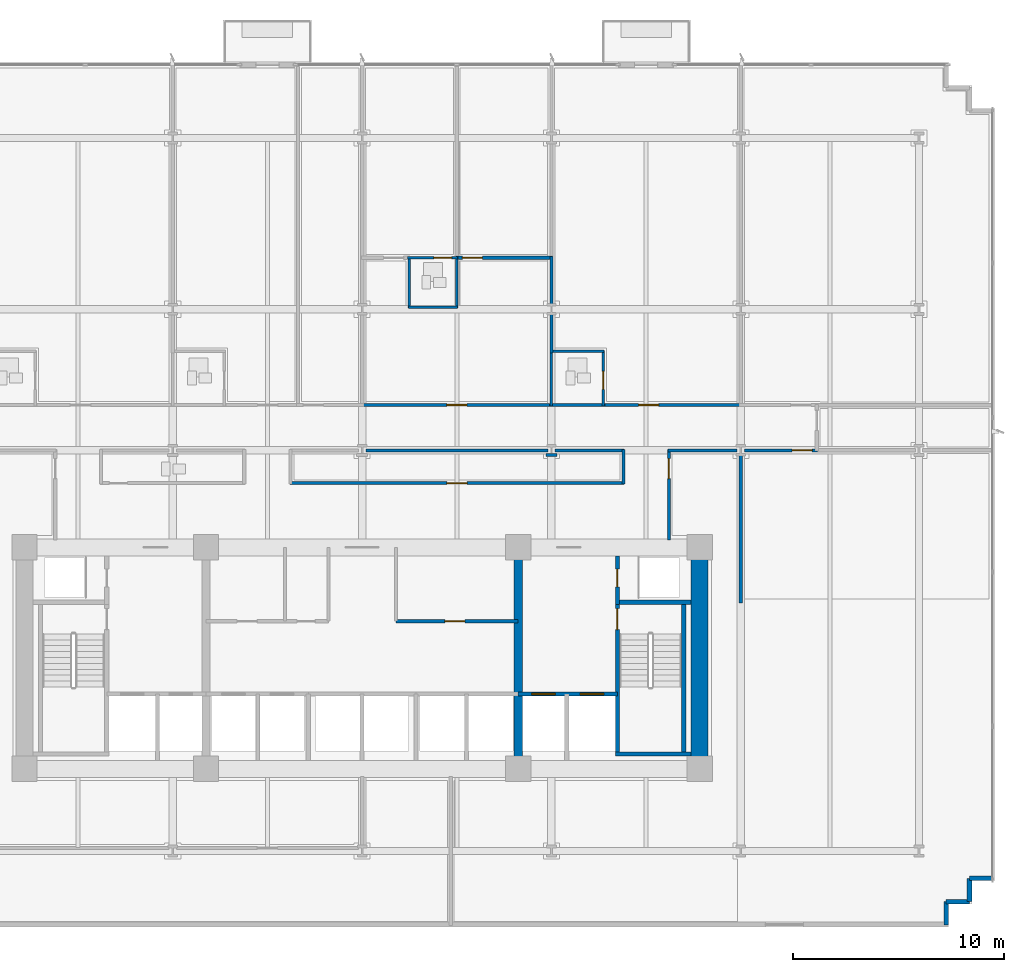
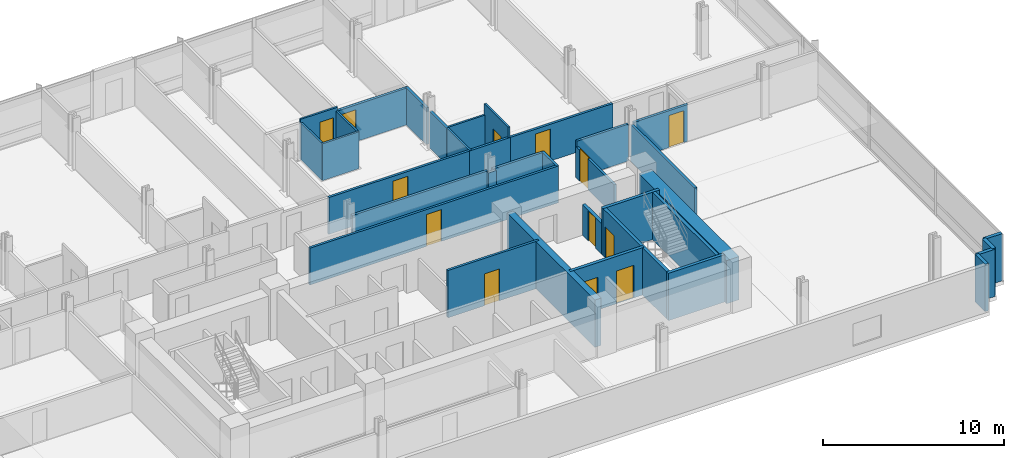
# One storey, part 10 of 16: 35 walls, 13 doors, 13 openings.
"""IFC4 building model written with IfcOpenShell, lengths in metres."""

import ifcopenshell
import ifcopenshell.guid

model = None  # the IFC model being written
_history = None  # IfcOwnerHistory: only IFC2X3 demands one
_inside = {}  # id of a spatial element -> (the spatial element, [elements in it])
_under = {}  # id of a project, library or spatial element -> (it, [spatial elements below it])
_declared = {}  # id of a project -> (the project, [libraries it declares])
_typed = {}  # id of a type object -> (the type object, [elements of that type])
_made_of = {}  # id of a material, layer set ... -> (it, [elements and type objects made of it])


def new_model(schema):
    """Start an empty IFC model of exactly this schema.

    Asked for "IFC4X3", IfcOpenShell would pick the latest addendum, in which some entities
    have other attributes; the version numbers below select the first issue.
    IFC2X3 requires an IfcOwnerHistory on every rooted entity: one is made here for all.
    """
    global model, _history
    if schema == "IFC4X3":
        model = ifcopenshell.file(schema_version=(4, 3, 0, 0))
    else:
        model = ifcopenshell.file(schema=schema)
    _inside.clear()
    _under.clear()
    _declared.clear()
    _typed.clear()
    _made_of.clear()
    _history = None
    if model.schema == "IFC2X3":
        org = make("IfcOrganization", Name="unknown")
        user = make(
            "IfcPersonAndOrganization",
            ThePerson=make("IfcPerson", FamilyName="unknown"),
            TheOrganization=org,
        )
        app = make(
            "IfcApplication",
            ApplicationDeveloper=org,
            Version="unknown",
            ApplicationFullName="unknown",
            ApplicationIdentifier="unknown",
        )
        _history = make(
            "IfcOwnerHistory",
            OwningUser=user,
            OwningApplication=app,
            ChangeAction="ADDED",
            CreationDate=0,
        )
    return model


def make(cls, **values):
    """One entity of the class cls with the attributes given. An attribute that is None is left unset."""
    return model.create_entity(
        cls, **{name: value for name, value in values.items() if value is not None}
    )


def rooted(cls, **values):
    """An entity with a GlobalId (a new one), such as an element, a storey or a relation."""
    return make(cls, GlobalId=ifcopenshell.guid.new(), OwnerHistory=_history, **values)


def si_unit(unit_type, name, prefix=None):
    """IfcSIUnit, for example si_unit("LENGTHUNIT", "METRE", prefix="MILLI")."""
    return make("IfcSIUnit", UnitType=unit_type, Prefix=prefix, Name=name)


def assignment(units):
    """IfcUnitAssignment: the units of a project."""
    return None if units is None else make("IfcUnitAssignment", Units=units)


def point(xyz):
    """IfcCartesianPoint."""
    return None if xyz is None else make("IfcCartesianPoint", Coordinates=xyz)


def direction(xyz):
    """IfcDirection."""
    return None if xyz is None else make("IfcDirection", DirectionRatios=xyz)


def frame(location, z_axis=None, x_axis=None):
    """IfcAxis2Placement3D, a coordinate frame: its origin and axes. An axis left out is left unset."""
    return make(
        "IfcAxis2Placement3D",
        Location=point(location),
        Axis=direction(z_axis),
        RefDirection=direction(x_axis),
    )


def frame_2d(location, x_axis=None):
    """IfcAxis2Placement2D, a coordinate frame in the plane: its origin and x axis."""
    return make(
        "IfcAxis2Placement2D", Location=point(location), RefDirection=direction(x_axis)
    )


def origin():
    """The frame at (0, 0, 0) with its axes left unset."""
    return frame((0.0, 0.0, 0.0))


def place(relative_to, where):
    """IfcLocalPlacement: puts the frame where relative to a parent placement (None: the world)."""
    return make(
        "IfcLocalPlacement", PlacementRelTo=relative_to, RelativePlacement=where
    )


def context(
    kind, dimensions, precision=None, world=None, true_north=None, identifier=None
):
    """IfcGeometricRepresentationContext, for example the 3D "Model" context."""
    return make(
        "IfcGeometricRepresentationContext",
        ContextIdentifier=identifier,
        ContextType=kind,
        CoordinateSpaceDimension=dimensions,
        Precision=precision,
        WorldCoordinateSystem=world,
        TrueNorth=true_north,
    )


def subcontext(parent, identifier, kind, view, scale=None):
    """IfcGeometricRepresentationSubContext, for example "Body" below "Model"."""
    return make(
        "IfcGeometricRepresentationSubContext",
        ContextIdentifier=identifier,
        ContextType=kind,
        ParentContext=parent,
        TargetScale=scale,
        TargetView=view,
    )


def project(units=None, contexts=None):
    """IfcProject with its units and contexts."""
    return rooted(
        "IfcProject",
        Name="project",
        RepresentationContexts=contexts,
        UnitsInContext=assignment(units),
    )


def spatial(cls, under=None, at=None, **own):
    """A site, building, storey or space (cls), placed at a placement, below another one or the project."""
    s = rooted(cls, ObjectPlacement=at, **own)
    if under is not None:
        _under.setdefault(under.id(), (under, []))[1].append(s)
    return s


def profile(cls, at=None, kind="AREA", **sizes):
    """A parametric profile (cls). Its sizes go by their IFC names, for example OverallWidth=200.0."""
    return make(cls, ProfileType=kind, Position=at, **sizes)


def rectangle(**sizes):
    """IfcRectangleProfileDef."""
    return profile("IfcRectangleProfileDef", **sizes)


def extrude(swept, where, along, depth):
    """IfcExtrudedAreaSolid: the profile swept, set in the frame where, extruded along a direction by depth."""
    return make(
        "IfcExtrudedAreaSolid",
        SweptArea=swept,
        Position=where,
        ExtrudedDirection=direction(along),
        Depth=depth,
    )


def shape(context_of_items, identifier, shape_type, items):
    """IfcShapeRepresentation: the items that make up one representation, for example the "Body"."""
    return make(
        "IfcShapeRepresentation",
        ContextOfItems=context_of_items,
        RepresentationIdentifier=identifier,
        RepresentationType=shape_type,
        Items=items,
    )


def material(Name=None, Category=None):
    """IfcMaterial."""
    return make("IfcMaterial", Name=Name, Category=Category)


def layer(
    of_material, thickness, ventilated=None, Name=None, Category=None, Priority=None
):
    """IfcMaterialLayer: one layer of a wall or slab, of a material (None: an air gap)."""
    return make(
        "IfcMaterialLayer",
        Material=of_material,
        LayerThickness=thickness,
        IsVentilated=ventilated,
        Name=Name,
        Category=Category,
        Priority=Priority,
    )


def layer_set(layers, Name=None):
    """IfcMaterialLayerSet."""
    return make("IfcMaterialLayerSet", MaterialLayers=layers, LayerSetName=Name)


def made_of(thing, what):
    """Note that an element or type object is made of a material, layer set ...; save() writes the relation."""
    if what is not None:
        _made_of.setdefault(what.id(), (what, []))[1].append(thing)
    return thing


def type_object(cls, material=None, **own):
    """A type object (cls), such as IfcWallType, which elements share."""
    return made_of(rooted(cls, **own), material)


def element(
    cls,
    number,
    at=None,
    inside=None,
    cuts=None,
    type_object=None,
    material=None,
    context=None,
    identifier="Body",
    shape_type=None,
    held_by="IfcProductDefinitionShape",
    body=None,
    shapes=None,
    **own,
):
    """One element of the class cls, such as IfcWall. Its Tag is "e" and its number.

    at: its placement. inside: the storey or other place that contains it. cuts: it is an
    opening in that element (IfcRelVoidsElement). A single representation is given by context,
    identifier, shape_type and body (its items); several are given by shapes. held_by: the class
    of the entity that holds the representations. save() writes the other relations.
    """
    e = rooted(cls, Tag="e%d" % number, ObjectPlacement=at, **own)
    if body is not None:
        shapes = [shape(context, identifier, shape_type, body)]
    if shapes is not None:
        e.Representation = make(held_by, Representations=shapes)
    if inside is not None:
        _inside.setdefault(inside.id(), (inside, []))[1].append(e)
    if cuts is not None:
        rooted(
            "IfcRelVoidsElement", RelatingBuildingElement=cuts, RelatedOpeningElement=e
        )
    if type_object is not None:
        _typed.setdefault(type_object.id(), (type_object, []))[1].append(e)
    return made_of(e, material)


def fill(opening, filler):
    """IfcRelFillsElement: the door or window that sits in an opening."""
    return rooted(
        "IfcRelFillsElement",
        RelatingOpeningElement=opening,
        RelatedBuildingElement=filler,
    )


def aggregate(whole, parts):
    """IfcRelAggregates: a whole, such as a stair, and the parts it consists of."""
    return rooted("IfcRelAggregates", RelatingObject=whole, RelatedObjects=parts)


def save(model, path):
    """Write the relations noted so far, then the file.

    IfcRelAggregates (storeys below a building ...), IfcRelContainedInSpatialStructure (elements
    in a storey), IfcRelDefinesByType, IfcRelAssociatesMaterial and IfcRelDeclares: one each for
    every whole, place, type object, material and project.
    """
    for whole, parts in _under.values():
        aggregate(whole, parts)
    for where, things in _inside.values():
        rooted(
            "IfcRelContainedInSpatialStructure",
            RelatedElements=things,
            RelatingStructure=where,
        )
    for kind, things in _typed.values():
        rooted("IfcRelDefinesByType", RelatedObjects=things, RelatingType=kind)
    for what, things in _made_of.values():
        rooted("IfcRelAssociatesMaterial", RelatedObjects=things, RelatingMaterial=what)
    for by, libraries in _declared.values():
        rooted("IfcRelDeclares", RelatingContext=by, RelatedDefinitions=libraries)
    model.write(path)


model = new_model("IFC4")

# Units and contexts
model_context = context("Model", 3, precision=1e-05, world=origin(), true_north=direction((0.0, 1.0)))
body_context = subcontext(model_context, "Body", "Model", "MODEL_VIEW")
ifc_project = project(units=[si_unit("LENGTHUNIT", "METRE"), si_unit("AREAUNIT", "SQUARE_METRE"), si_unit("VOLUMEUNIT", "CUBIC_METRE"), si_unit("PLANEANGLEUNIT", "RADIAN"), si_unit("MASSUNIT", "GRAM", prefix="KILO")], contexts=[model_context])

# Site, building, storey
site_placement = place(None, origin())
site = spatial("IfcSite", under=ifc_project, at=site_placement, CompositionType="ELEMENT")
building_placement = place(site_placement, origin())
building = spatial("IfcBuilding", under=site, at=building_placement, Name="Solmavex Isthmus Hotel", CompositionType="ELEMENT")
storey_placement = place(building_placement, frame((0.0, 0.0, 36.75)))
storey = spatial("IfcBuildingStorey", under=building, at=storey_placement, Name="L09", CompositionType="ELEMENT", Elevation=36.75)

# Walls
ifc_material_1 = material(Name="Precast Concrete C40/50", Category="concrete")
ifc_layer_1 = layer(ifc_material_1, 0.25)
ifc_layer_set_1 = layer_set([ifc_layer_1], Name="Precast Concrete C40/50")
wall_type_1 = type_object("IfcWallType", Name="EW-TWR-250", PredefinedType="STANDARD", material=ifc_layer_set_1)
wall_1_placement = place(storey_placement, frame((29.889892578125, -18.18994140625, 0.0), z_axis=(0.0, 0.0, 1.0), x_axis=(-1.0, 0.0, 0.0)))
element("IfcWall", 1, at=wall_1_placement, inside=storey, type_object=wall_type_1, Name="Serrated Corner Facade Panel L09-16", PredefinedType="STANDARD", context=body_context, shape_type="SweptSolid", body=[
    extrude(rectangle(XDim=1.099853515625, YDim=0.219970703125, at=frame_2d((0.5498046875, 0.0))), origin(), (0.0, 0.0, 1.0), 3.18994140625),
])
for number, where, z_axis, x_axis, name in (
    (2, (28.7900390625, -18.18994140625, 0.0), (0.0, 0.0, 1.0), (0.0, -1.0, 0.0), "Serrated Corner Facade Panel L09-17"),
    (3, (28.7900390625, -19.2900390625, 0.0), (0.0, 0.0, 1.0), (-1.0, 0.0, 0.0), "Serrated Corner Facade Panel L09-18"),
):
    element("IfcWall", number, at=place(storey_placement, frame(where, z_axis=z_axis, x_axis=x_axis)), inside=storey, type_object=wall_type_1, Name=name, PredefinedType="STANDARD", context=body_context, shape_type="SweptSolid", body=[
        extrude(rectangle(XDim=1.10009765625, YDim=0.219970703125, at=frame_2d((0.550048828125, 0.0))), origin(), (0.0, 0.0, 1.0), 3.18994140625),
    ])
wall_2_placement = place(storey_placement, frame((27.68994140625, -19.2900390625, 0.0), z_axis=(0.0, 0.0, 1.0), x_axis=(0.0, -1.0, 0.0)))
element("IfcWall", 4, at=wall_2_placement, inside=storey, type_object=wall_type_1, Name="Serrated Corner Facade Panel L09-19", PredefinedType="STANDARD", context=body_context, shape_type="SweptSolid", body=[
    extrude(rectangle(XDim=1.099853515625, YDim=0.219970703125, at=frame_2d((0.5498046875, 0.0))), origin(), (0.0, 0.0, 1.0), 3.18994140625),
])

# Wall, opening, door
ifc_material_2 = material(Name="Gypsum plasterboard lining", Category="gypsum")
ifc_layer_2 = layer(ifc_material_2, 0.159912109375)
ifc_layer_set_2 = layer_set([ifc_layer_2], Name="Gypsum plasterboard lining")
wall_type_2 = type_object("IfcWallType", Name="IW-COMP-160", PredefinedType="PARTITIONING", material=ifc_layer_set_2)
wall_3_placement = place(storey_placement, frame((4.447998046875, 11.238037109375, 0.0), z_axis=(0.0, 0.0, 1.0), x_axis=(1.0, 0.0, 0.0)))
wall_3 = element("IfcWall", 5, at=wall_3_placement, inside=storey, type_object=wall_type_2, Name="Interior Partition Wall W-L09-P060", PredefinedType="PARTITIONING", context=body_context, shape_type="SweptSolid", body=[
    extrude(rectangle(XDim=4.568115234375, YDim=0.159912109375, at=frame_2d((2.2841796875, 0.0))), origin(), (0.0, 0.0, 1.0), 2.4794921875),
])
opening_1_placement = place(wall_3_placement, frame((0.301025390625, 0.0, 0.0)))
opening_1 = element("IfcOpeningElement", 6, at=opening_1_placement, cuts=wall_3, Name="Opening ID-C095", PredefinedType="OPENING", context=body_context, shape_type="SweptSolid", body=[
    extrude(rectangle(XDim=0.949951171875, YDim=2.14990234375, at=frame_2d((0.47509765625, 1.074951171875))), frame((0.0, 0.08984375, 0.0), z_axis=(0.0, -1.0, 0.0), x_axis=(1.0, 0.0, 0.0)), (0.0, 0.0, 1.0), 0.179931640625),
])
ifc_material_3 = material(Name="Hardwood timber", Category="wood")
door_type_1 = type_object("IfcDoorType", Name="IDR-FD60-0950", OperationType="NOTDEFINED", PredefinedType="DOOR", material=ifc_material_3)
door_1_placement = place(opening_1_placement, origin())
door_1 = element("IfcDoor", 7, at=door_1_placement, inside=storey, type_object=door_type_1, Name="Diplomatic Hospitality Suite Sitting Lounge Door L09-12", OperationType="SINGLE_SWING_RIGHT", OverallHeight=2.14990234375, OverallWidth=0.949951171875, PredefinedType="DOOR", context=body_context, shape_type="SweptSolid", body=[
    extrude(rectangle(XDim=0.949951171875, YDim=2.14990234375, at=frame_2d((0.47509765625, 1.074951171875))), frame((0.0, 0.02490234375, 0.0), z_axis=(0.0, -1.0, 0.0), x_axis=(1.0, 0.0, 0.0)), (0.0, 0.0, 1.0), 0.050048828125),
])
fill(opening_1, door_1)

# Walls
wall_4_placement = place(storey_placement, frame((8.97607421875, 8.613037109375, 0.0), z_axis=(0.0, 0.0, 1.0), x_axis=(0.0, -1.0, 0.0)))
element("IfcWall", 8, at=wall_4_placement, inside=storey, type_object=wall_type_2, Name="Interior Partition Wall W-L09-P064", PredefinedType="PARTITIONING", context=body_context, shape_type="SweptSolid", body=[
    extrude(rectangle(XDim=1.89501953125, YDim=0.159912109375, at=frame_2d((0.947509765625, 0.0))), origin(), (0.0, 0.0, 1.0), 2.4794921875),
])
wall_5_placement = place(storey_placement, frame((8.97607421875, 11.278076171875, 0.0), z_axis=(0.0, 0.0, 1.0), x_axis=(0.0, -1.0, 0.0)))
element("IfcWall", 9, at=wall_5_placement, inside=storey, type_object=wall_type_2, Name="Interior Partition Wall W-L09-P065", PredefinedType="PARTITIONING", context=body_context, shape_type="SweptSolid", body=[
    extrude(rectangle(XDim=2.315185546875, YDim=0.159912109375, at=frame_2d((1.15771484375, 0.0))), origin(), (0.0, 0.0, 1.0), 2.4794921875),
])
wall_6_placement = place(storey_placement, frame((17.951904296875, -5.139892578125, 0.0), z_axis=(0.0, 0.0, 1.0), x_axis=(0.0, 1.0, 0.0)))
element("IfcWall", 10, at=wall_6_placement, inside=storey, type_object=wall_type_2, Name="Interior Partition Wall W-L09-P083", PredefinedType="PARTITIONING", context=body_context, shape_type="SweptSolid", body=[
    extrude(rectangle(XDim=7.06494140625, YDim=0.159912109375, at=frame_2d((3.532470703125, 0.0))), origin(), (0.0, 0.0, 1.0), 2.4794921875),
])

# Wall, opening, door
ifc_layer_3 = layer(ifc_material_2, 0.14990234375)
ifc_layer_set_3 = layer_set([ifc_layer_3], Name="Gypsum plasterboard lining")
wall_type_3 = type_object("IfcWallType", Name="IW-CORR-150", PredefinedType="PARTITIONING", material=ifc_layer_set_3)
wall_7_placement = place(storey_placement, frame((1.60009765625, -6.0, 0.0), z_axis=(0.0, 0.0, 1.0), x_axis=(1.0, 0.0, 0.0)))
wall_7 = element("IfcWall", 11, at=wall_7_placement, inside=storey, type_object=wall_type_3, Name="Interior Partition Wall W-L09-BOH-ES", PredefinedType="PARTITIONING", context=body_context, shape_type="SweptSolid", body=[
    extrude(rectangle(XDim=5.7998046875, YDim=0.14990234375, at=frame_2d((2.89990234375, 0.0))), origin(), (0.0, 0.0, 1.0), 3.18994140625),
])
opening_2_placement = place(wall_7_placement, frame((2.324951171875, 0.0, 0.0)))
opening_2 = element("IfcOpeningElement", 12, at=opening_2_placement, cuts=wall_7, Name="Opening ID-C095", PredefinedType="OPENING", context=body_context, shape_type="SweptSolid", body=[
    extrude(rectangle(XDim=0.949951171875, YDim=2.14990234375, at=frame_2d((0.47509765625, 1.074951171875))), frame((0.0, 0.0849609375, 0.0), z_axis=(0.0, -1.0, 0.0), x_axis=(1.0, 0.0, 0.0)), (0.0, 0.0, 1.0), 0.169921875),
])
door_2_placement = place(opening_2_placement, frame((0.949951171875, 0.0, 0.0), z_axis=(0.0, 0.0, 1.0), x_axis=(-1.0, 0.0, 0.0)))
door_2 = element("IfcDoor", 13, at=door_2_placement, inside=storey, type_object=door_type_1, Name="Butler Pantry Door L09", OperationType="SINGLE_SWING_RIGHT", OverallHeight=2.14990234375, OverallWidth=0.949951171875, PredefinedType="DOOR", context=body_context, shape_type="SweptSolid", body=[
    extrude(rectangle(XDim=0.949951171875, YDim=2.14990234375, at=frame_2d((0.47509765625, 1.074951171875))), frame((0.0, 0.02490234375, 0.0), z_axis=(0.0, -1.0, 0.0), x_axis=(1.0, 0.0, 0.0)), (0.0, 0.0, 1.0), 0.050048828125),
])
fill(opening_2, door_2)

wall_8_placement = place(storey_placement, frame((-0.08203125, 4.25, 0.0), z_axis=(0.0, 0.0, 1.0), x_axis=(1.0, 0.0, 0.0)))
wall_8 = element("IfcWall", 14, at=wall_8_placement, inside=storey, type_object=wall_type_3, Name="Interior Partition Wall W-L09-P007", PredefinedType="PARTITIONING", context=body_context, shape_type="SweptSolid", body=[
    extrude(rectangle(XDim=9.14013671875, YDim=0.14990234375, at=frame_2d((4.570068359375, 0.0))), origin(), (0.0, 0.0, 1.0), 2.4794921875),
])
opening_3_placement = place(wall_8_placement, frame((4.094970703125, 0.0, 0.0)))
opening_3 = element("IfcOpeningElement", 15, at=opening_3_placement, cuts=wall_8, Name="Opening ID-C095", PredefinedType="OPENING", context=body_context, shape_type="SweptSolid", body=[
    extrude(rectangle(XDim=0.949951171875, YDim=2.14990234375, at=frame_2d((0.47509765625, 1.074951171875))), frame((0.0, 0.0849609375, 0.0), z_axis=(0.0, -1.0, 0.0), x_axis=(1.0, 0.0, 0.0)), (0.0, 0.0, 1.0), 0.169921875),
])
door_3_placement = place(opening_3_placement, origin())
door_3 = element("IfcDoor", 16, at=door_3_placement, inside=storey, type_object=door_type_1, Name="Diplomatic Hospitality Suite Reception Foyer Door L09-10", OperationType="SINGLE_SWING_RIGHT", OverallHeight=2.14990234375, OverallWidth=0.949951171875, PredefinedType="DOOR", context=body_context, shape_type="SweptSolid", body=[
    extrude(rectangle(XDim=0.949951171875, YDim=2.14990234375, at=frame_2d((0.47509765625, 1.074951171875))), frame((0.0, 0.02490234375, 0.0), z_axis=(0.0, -1.0, 0.0), x_axis=(1.0, 0.0, 0.0)), (0.0, 0.0, 1.0), 0.050048828125),
])
fill(opening_3, door_3)

wall_9_placement = place(storey_placement, frame((11.343994140625, 4.25, 0.0), z_axis=(0.0, 0.0, 1.0), x_axis=(1.0, 0.0, 0.0)))
wall_9 = element("IfcWall", 17, at=wall_9_placement, inside=storey, type_object=wall_type_3, Name="Interior Partition Wall W-L09-P008", PredefinedType="PARTITIONING", context=body_context, shape_type="SweptSolid", body=[
    extrude(rectangle(XDim=6.68994140625, YDim=0.14990234375, at=frame_2d((3.344970703125, 0.0))), origin(), (0.0, 0.0, 1.0), 2.4794921875),
])
opening_4_placement = place(wall_9_placement, frame((1.759521484375, 0.0, 0.0)))
opening_4 = element("IfcOpeningElement", 18, at=opening_4_placement, cuts=wall_9, Name="Opening ID-C095", PredefinedType="OPENING", context=body_context, shape_type="SweptSolid", body=[
    extrude(rectangle(XDim=0.949951171875, YDim=2.14990234375, at=frame_2d((0.47509765625, 1.074951171875))), frame((0.0, 0.0849609375, 0.0), z_axis=(0.0, -1.0, 0.0), x_axis=(1.0, 0.0, 0.0)), (0.0, 0.0, 1.0), 0.169921875),
])
door_4_placement = place(opening_4_placement, origin())
door_4 = element("IfcDoor", 19, at=door_4_placement, inside=storey, type_object=door_type_1, Name="Diplomatic Suite Door L09-14", OperationType="SINGLE_SWING_RIGHT", OverallHeight=2.14990234375, OverallWidth=0.949951171875, PredefinedType="DOOR", context=body_context, shape_type="SweptSolid", body=[
    extrude(rectangle(XDim=0.949951171875, YDim=2.14990234375, at=frame_2d((0.47509765625, 1.074951171875))), frame((0.0, 0.02490234375, 0.0), z_axis=(0.0, -1.0, 0.0), x_axis=(1.0, 0.0, 0.0)), (0.0, 0.0, 1.0), 0.050048828125),
])
fill(opening_4, door_4)

# Walls
wall_10_placement = place(storey_placement, frame((8.89404296875, 4.25, 0.0), z_axis=(0.0, 0.0, 1.0), x_axis=(1.0, 0.0, 0.0)))
element("IfcWall", 20, at=wall_10_placement, inside=storey, type_object=wall_type_3, Name="Interior Partition Wall W-L09-P009", PredefinedType="PARTITIONING", context=body_context, shape_type="SweptSolid", body=[
    extrude(rectangle(XDim=2.614013671875, YDim=0.14990234375, at=frame_2d((1.30712890625, 0.0))), origin(), (0.0, 0.0, 1.0), 2.4794921875),
])
wall_11_placement = place(storey_placement, frame((8.801025390625, 2.10009765625, 0.0), z_axis=(0.0, 0.0, 1.0), x_axis=(-1.0, 0.0, 0.0)))
element("IfcWall", 21, at=wall_11_placement, inside=storey, type_object=wall_type_3, Name="Interior Partition Wall W-L09-P019", PredefinedType="PARTITIONING", context=body_context, shape_type="SweptSolid", body=[
    extrude(rectangle(XDim=8.6259765625, YDim=0.14990234375, at=frame_2d((4.31298828125, 0.0))), origin(), (0.0, 0.0, 1.0), 2.4794921875),
])

# Wall, opening, door
wall_12_placement = place(storey_placement, frame((-3.427978515625, 0.550048828125, 0.0), z_axis=(0.0, 0.0, 1.0), x_axis=(1.0, 0.0, 0.0)))
wall_12 = element("IfcWall", 22, at=wall_12_placement, inside=storey, type_object=wall_type_3, Name="Interior Partition Wall W-L09-P023", PredefinedType="PARTITIONING", context=body_context, shape_type="SweptSolid", body=[
    extrude(rectangle(XDim=15.85205078125, YDim=0.14990234375, at=frame_2d((7.926025390625, 0.0))), origin(), (0.0, 0.0, 1.0), 2.4794921875),
])
opening_5_placement = place(wall_12_placement, frame((7.450927734375, 0.0, 0.0)))
opening_5 = element("IfcOpeningElement", 23, at=opening_5_placement, cuts=wall_12, Name="Opening ID-C095", PredefinedType="OPENING", context=body_context, shape_type="SweptSolid", body=[
    extrude(rectangle(XDim=0.949951171875, YDim=2.14990234375, at=frame_2d((0.47509765625, 1.074951171875))), frame((0.0, 0.0849609375, 0.0), z_axis=(0.0, -1.0, 0.0), x_axis=(1.0, 0.0, 0.0)), (0.0, 0.0, 1.0), 0.169921875),
])
door_5_placement = place(opening_5_placement, origin())
door_5 = element("IfcDoor", 24, at=door_5_placement, inside=storey, type_object=door_type_1, Name="Business Briefing Office Door L09-20", OperationType="SINGLE_SWING_RIGHT", OverallHeight=2.14990234375, OverallWidth=0.949951171875, PredefinedType="DOOR", context=body_context, shape_type="SweptSolid", body=[
    extrude(rectangle(XDim=0.949951171875, YDim=2.14990234375, at=frame_2d((0.47509765625, 1.074951171875))), frame((0.0, 0.02490234375, 0.0), z_axis=(0.0, -1.0, 0.0), x_axis=(1.0, 0.0, 0.0)), (0.0, 0.0, 1.0), 0.050048828125),
])
fill(opening_5, door_5)

# Walls
wall_13_placement = place(storey_placement, frame((12.384033203125, 0.510009765625, 0.0), z_axis=(0.0, 0.0, 1.0), x_axis=(0.0, 1.0, 0.0)))
element("IfcWall", 25, at=wall_13_placement, inside=storey, type_object=wall_type_3, Name="Interior Partition Wall W-L09-P024", PredefinedType="PARTITIONING", context=body_context, shape_type="SweptSolid", body=[
    extrude(rectangle(XDim=1.6298828125, YDim=0.14990234375, at=frame_2d((0.81494140625, 0.0))), origin(), (0.0, 0.0, 1.0), 2.4794921875),
])
wall_14_placement = place(storey_placement, frame((12.424072265625, 2.10009765625, 0.0), z_axis=(0.0, 0.0, 1.0), x_axis=(-1.0, 0.0, 0.0)))
element("IfcWall", 26, at=wall_14_placement, inside=storey, type_object=wall_type_3, Name="Interior Partition Wall W-L09-P025", PredefinedType="PARTITIONING", context=body_context, shape_type="SweptSolid", body=[
    extrude(rectangle(XDim=3.273193359375, YDim=0.14990234375, at=frame_2d((1.63671875, 0.0))), origin(), (0.0, 0.0, 1.0), 2.4794921875),
])
wall_15_placement = place(storey_placement, frame((9.23095703125, 1.885009765625, 0.0), z_axis=(0.0, 0.0, 1.0), x_axis=(-1.0, 0.0, 0.0)))
element("IfcWall", 27, at=wall_15_placement, inside=storey, type_object=wall_type_3, Name="Interior Partition Wall W-L09-P026", PredefinedType="PARTITIONING", context=body_context, shape_type="SweptSolid", body=[
    extrude(rectangle(XDim=0.510009765625, YDim=0.14990234375, at=frame_2d((0.2548828125, 0.0))), origin(), (0.0, 0.0, 1.0), 2.4794921875),
])

# Wall, opening, door
wall_16_placement = place(storey_placement, frame((21.592041015625, 2.10009765625, 0.0), z_axis=(0.0, 0.0, 1.0), x_axis=(-1.0, 0.0, 0.0)))
wall_16 = element("IfcWall", 28, at=wall_16_placement, inside=storey, type_object=wall_type_3, Name="Interior Partition Wall W-L09-P028", PredefinedType="PARTITIONING", context=body_context, shape_type="SweptSolid", body=[
    extrude(rectangle(XDim=3.465087890625, YDim=0.14990234375, at=frame_2d((1.732421875, 0.0))), origin(), (0.0, 0.0, 1.0), 2.4794921875),
])
opening_6_placement = place(wall_16_placement, frame((0.26220703125, 0.0, 0.0)))
opening_6 = element("IfcOpeningElement", 29, at=opening_6_placement, cuts=wall_16, Name="Opening ID-C095", PredefinedType="OPENING", context=body_context, shape_type="SweptSolid", body=[
    extrude(rectangle(XDim=0.949951171875, YDim=2.14990234375, at=frame_2d((0.47509765625, 1.074951171875))), frame((0.0, 0.0849609375, 0.0), z_axis=(0.0, -1.0, 0.0), x_axis=(1.0, 0.0, 0.0)), (0.0, 0.0, 1.0), 0.169921875),
])
door_6_placement = place(opening_6_placement, origin())
door_6 = element("IfcDoor", 30, at=door_6_placement, inside=storey, type_object=door_type_1, Name="Business Briefing Office Door L09-22", OperationType="SINGLE_SWING_RIGHT", OverallHeight=2.14990234375, OverallWidth=0.949951171875, PredefinedType="DOOR", context=body_context, shape_type="SweptSolid", body=[
    extrude(rectangle(XDim=0.949951171875, YDim=2.14990234375, at=frame_2d((0.47509765625, 1.074951171875))), frame((0.0, 0.02490234375, 0.0), z_axis=(0.0, -1.0, 0.0), x_axis=(1.0, 0.0, 0.0)), (0.0, 0.0, 1.0), 0.050048828125),
])
fill(opening_6, door_6)

# Wall
wall_17_placement = place(storey_placement, frame((17.777099609375, 2.10009765625, 0.0), z_axis=(0.0, 0.0, 1.0), x_axis=(-1.0, 0.0, 0.0)))
element("IfcWall", 31, at=wall_17_placement, inside=storey, type_object=wall_type_3, Name="Interior Partition Wall W-L09-P031", PredefinedType="PARTITIONING", context=body_context, shape_type="SweptSolid", body=[
    extrude(rectangle(XDim=3.273193359375, YDim=0.14990234375, at=frame_2d((1.63671875, 0.0))), origin(), (0.0, 0.0, 1.0), 2.4794921875),
])

# Wall, opening, door
wall_18_placement = place(storey_placement, frame((14.5439453125, 2.139892578125, 0.0), z_axis=(0.0, 0.0, 1.0), x_axis=(0.0, -1.0, 0.0)))
wall_18 = element("IfcWall", 32, at=wall_18_placement, inside=storey, type_object=wall_type_3, Name="Interior Partition Wall W-L09-P032", PredefinedType="PARTITIONING", context=body_context, shape_type="SweptSolid", body=[
    extrude(rectangle(XDim=4.27978515625, YDim=0.14990234375, at=frame_2d((2.139892578125, 0.0))), origin(), (0.0, 0.0, 1.0), 2.074951171875),
])
opening_7_placement = place(wall_18_placement, frame((0.43017578125, 0.0, 0.0)))
opening_7 = element("IfcOpeningElement", 33, at=opening_7_placement, cuts=wall_18, Name="Opening ID-C095", PredefinedType="OPENING", context=body_context, shape_type="SweptSolid", body=[
    extrude(rectangle(XDim=0.949951171875, YDim=2.14990234375, at=frame_2d((0.47509765625, 1.074951171875))), frame((0.0, 0.0849609375, 0.0), z_axis=(0.0, -1.0, 0.0), x_axis=(1.0, 0.0, 0.0)), (0.0, 0.0, 1.0), 0.169921875),
])
door_7_placement = place(opening_7_placement, frame((0.949951171875, 0.0, 0.0), z_axis=(0.0, 0.0, 1.0), x_axis=(-1.0, 0.0, 0.0)))
door_7 = element("IfcDoor", 34, at=door_7_placement, inside=storey, type_object=door_type_1, Name="Executive Hospitality Lounge Door L09-24", OperationType="SINGLE_SWING_RIGHT", OverallHeight=2.14990234375, OverallWidth=0.949951171875, PredefinedType="DOOR", context=body_context, shape_type="SweptSolid", body=[
    extrude(rectangle(XDim=0.949951171875, YDim=2.14990234375, at=frame_2d((0.47509765625, 1.074951171875))), frame((0.0, 0.02490234375, 0.0), z_axis=(0.0, -1.0, 0.0), x_axis=(1.0, 0.0, 0.0)), (0.0, 0.0, 1.0), 0.050048828125),
])
fill(opening_7, door_7)

# Walls
ifc_layer_4 = layer(ifc_material_2, 0.1201171875)
ifc_layer_set_4 = layer_set([ifc_layer_4], Name="Gypsum plasterboard lining")
wall_type_4 = type_object("IfcWallType", Name="IW-PART-120", PredefinedType="PARTITIONING", material=ifc_layer_set_4)
wall_19_placement = place(storey_placement, frame((2.238037109375, 11.278076171875, 0.0), z_axis=(0.0, 0.0, 1.0), x_axis=(0.0, -1.0, 0.0)))
element("IfcWall", 35, at=wall_19_placement, inside=storey, type_object=wall_type_4, Name="Interior Partition Wall W-L09-P061", PredefinedType="PARTITIONING", context=body_context, shape_type="SweptSolid", body=[
    extrude(rectangle(XDim=2.43017578125, YDim=0.1201171875, at=frame_2d((1.215087890625, 0.0))), origin(), (0.0, 0.0, 1.0), 2.4794921875),
])
wall_20_placement = place(storey_placement, frame((2.197998046875, 8.887939453125, 0.0), z_axis=(0.0, 0.0, 1.0), x_axis=(1.0, 0.0, 0.0)))
element("IfcWall", 36, at=wall_20_placement, inside=storey, type_object=wall_type_4, Name="Interior Partition Wall W-L09-P062", PredefinedType="PARTITIONING", context=body_context, shape_type="SweptSolid", body=[
    extrude(rectangle(XDim=2.330078125, YDim=0.1201171875, at=frame_2d((1.1650390625, 0.0))), origin(), (0.0, 0.0, 1.0), 2.4794921875),
])
wall_21_placement = place(storey_placement, frame((4.488037109375, 8.847900390625, 0.0), z_axis=(0.0, 0.0, 1.0), x_axis=(0.0, 1.0, 0.0)))
element("IfcWall", 37, at=wall_21_placement, inside=storey, type_object=wall_type_4, Name="Interior Partition Wall W-L09-P063", PredefinedType="PARTITIONING", context=body_context, shape_type="SweptSolid", body=[
    extrude(rectangle(XDim=2.43017578125, YDim=0.1201171875, at=frame_2d((1.215087890625, 0.0))), origin(), (0.0, 0.0, 1.0), 2.4794921875),
])
wall_22_placement = place(storey_placement, frame((8.97607421875, 6.882080078125, 0.0), z_axis=(0.0, 0.0, 1.0), x_axis=(0.0, -1.0, 0.0)))
element("IfcWall", 38, at=wall_22_placement, inside=storey, type_object=wall_type_4, Name="Interior Partition Wall W-L09-P066", PredefinedType="PARTITIONING", context=body_context, shape_type="SweptSolid", body=[
    extrude(rectangle(XDim=2.672119140625, YDim=0.1201171875, at=frame_2d((1.3359375, 0.0))), origin(), (0.0, 0.0, 1.0), 2.4794921875),
])

# Wall, opening, door
wall_23_placement = place(storey_placement, frame((4.528076171875, 11.238037109375, 0.0), z_axis=(0.0, 0.0, 1.0), x_axis=(-1.0, 0.0, 0.0)))
wall_23 = element("IfcWall", 39, at=wall_23_placement, inside=storey, type_object=wall_type_4, Name="Interior Partition Wall W-L09-P068", PredefinedType="PARTITIONING", context=body_context, shape_type="SweptSolid", body=[
    extrude(rectangle(XDim=2.3720703125, YDim=0.1201171875, at=frame_2d((1.18603515625, 0.0))), origin(), (0.0, 0.0, 1.0), 2.718017578125),
])
opening_8_placement = place(wall_23_placement, frame((0.27978515625, 0.0, 0.0)))
opening_8 = element("IfcOpeningElement", 40, at=opening_8_placement, cuts=wall_23, Name="Opening ID-U085", PredefinedType="OPENING", context=body_context, shape_type="SweptSolid", body=[
    extrude(rectangle(XDim=0.85009765625, YDim=2.10009765625, at=frame_2d((0.425048828125, 1.050048828125))), frame((0.0, 0.070068359375, 0.0), z_axis=(0.0, -1.0, 0.0), x_axis=(1.0, 0.0, 0.0)), (0.0, 0.0, 1.0), 0.14013671875),
])
door_type_2 = type_object("IfcDoorType", Name="IDR-UNR-0850", OperationType="NOTDEFINED", PredefinedType="DOOR", material=ifc_material_3)
door_8_placement = place(opening_8_placement, frame((0.85009765625, 0.0, 0.0), z_axis=(0.0, 0.0, 1.0), x_axis=(-1.0, 0.0, 0.0)))
door_8 = element("IfcDoor", 41, at=door_8_placement, inside=storey, type_object=door_type_2, Name="En-suite Bathroom Door L09-13", OperationType="SINGLE_SWING_LEFT", OverallHeight=2.10009765625, OverallWidth=0.85009765625, PredefinedType="DOOR", context=body_context, shape_type="SweptSolid", body=[
    extrude(rectangle(XDim=0.85009765625, YDim=2.10009765625, at=frame_2d((0.425048828125, 1.050048828125))), frame((0.0, 0.02490234375, 0.0), z_axis=(0.0, -1.0, 0.0), x_axis=(1.0, 0.0, 0.0)), (0.0, 0.0, 1.0), 0.050048828125),
])
fill(opening_8, door_8)

wall_24_placement = place(storey_placement, frame((11.426025390625, 4.2099609375, 0.0), z_axis=(0.0, 0.0, 1.0), x_axis=(0.0, 1.0, 0.0)))
wall_24 = element("IfcWall", 42, at=wall_24_placement, inside=storey, type_object=wall_type_4, Name="Interior Partition Wall W-L09-P071", PredefinedType="PARTITIONING", context=body_context, shape_type="SweptSolid", body=[
    extrude(rectangle(XDim=2.630126953125, YDim=0.1201171875, at=frame_2d((1.31494140625, 0.0))), origin(), (0.0, 0.0, 1.0), 3.18994140625),
])
opening_9_placement = place(wall_24_placement, frame((0.782958984375, 0.0, 0.0)))
opening_9 = element("IfcOpeningElement", 43, at=opening_9_placement, cuts=wall_24, Name="Opening ID-U085", PredefinedType="OPENING", context=body_context, shape_type="SweptSolid", body=[
    extrude(rectangle(XDim=0.85009765625, YDim=2.10009765625, at=frame_2d((0.425048828125, 1.050048828125))), frame((0.0, 0.070068359375, 0.0), z_axis=(0.0, -1.0, 0.0), x_axis=(1.0, 0.0, 0.0)), (0.0, 0.0, 1.0), 0.14013671875),
])
door_9_placement = place(opening_9_placement, frame((0.85009765625, 0.0, 0.0), z_axis=(0.0, 0.0, 1.0), x_axis=(-1.0, 0.0, 0.0)))
door_9 = element("IfcDoor", 44, at=door_9_placement, inside=storey, type_object=door_type_2, Name="En-suite Bathroom Door L09-15", OperationType="SINGLE_SWING_LEFT", OverallHeight=2.10009765625, OverallWidth=0.85009765625, PredefinedType="DOOR", context=body_context, shape_type="SweptSolid", body=[
    extrude(rectangle(XDim=0.85009765625, YDim=2.10009765625, at=frame_2d((0.425048828125, 1.050048828125))), frame((0.0, 0.02490234375, 0.0), z_axis=(0.0, -1.0, 0.0), x_axis=(1.0, 0.0, 0.0)), (0.0, 0.0, 1.0), 0.050048828125),
])
fill(opening_9, door_9)

# Wall
wall_25_placement = place(storey_placement, frame((11.466064453125, 6.800048828125, 0.0), z_axis=(0.0, 0.0, 1.0), x_axis=(-1.0, 0.0, 0.0)))
element("IfcWall", 45, at=wall_25_placement, inside=storey, type_object=wall_type_4, Name="Interior Partition Wall W-L09-P072", PredefinedType="PARTITIONING", context=body_context, shape_type="SweptSolid", body=[
    extrude(rectangle(XDim=2.530029296875, YDim=0.1201171875, at=frame_2d((1.26513671875, 0.0))), origin(), (0.0, 0.0, 1.0), 2.4794921875),
])

# Wall, opening, door
ifc_material_4 = material(Name="Concrete C40/50", Category="concrete")
ifc_layer_5 = layer(ifc_material_4, 0.199951171875)
ifc_layer_set_5 = layer_set([ifc_layer_5], Name="Concrete C40/50")
wall_type_5 = type_object("IfcWallType", Name="IW-SHAFT-200", PredefinedType="PARTITIONING", material=ifc_layer_set_5)
wall_26_placement = place(storey_placement, frame((12.10009765625, -5.199951171875, 0.0), z_axis=(0.0, 0.0, 1.0), x_axis=(0.0, 1.0, 0.0)))
wall_26 = element("IfcWall", 46, at=wall_26_placement, inside=storey, type_object=wall_type_5, Name="Interior Partition Wall W-L09-RSE-W", PredefinedType="PARTITIONING", context=body_context, shape_type="SweptSolid", body=[
    extrude(rectangle(XDim=2.300048828125, YDim=0.199951171875, at=frame_2d((1.14990234375, 0.0))), origin(), (0.0, 0.0, 1.0), 2.074951171875),
])
opening_10_placement = place(wall_26_placement, frame((0.824951171875, 0.0, 0.0)))
opening_10 = element("IfcOpeningElement", 47, at=opening_10_placement, cuts=wall_26, Name="Opening ID-R085", PredefinedType="OPENING", context=body_context, shape_type="SweptSolid", body=[
    extrude(rectangle(XDim=0.85009765625, YDim=2.050048828125, at=frame_2d((0.425048828125, 1.02490234375))), frame((0.0, 0.10986328125, 0.0), z_axis=(0.0, -1.0, 0.0), x_axis=(1.0, 0.0, 0.0)), (0.0, 0.0, 1.0), 0.219970703125),
])
ifc_material_5 = material(Name="Steel ASTM A500 Grade C", Category="steel")
door_type_3 = type_object("IfcDoorType", Name="IDR-FD60-0850", OperationType="NOTDEFINED", PredefinedType="DOOR", material=ifc_material_5)
door_10_placement = place(opening_10_placement, frame((0.85009765625, 0.0, 0.0), z_axis=(0.0, 0.0, 1.0), x_axis=(-1.0, 0.0, 0.0)))
door_10 = element("IfcDoor", 48, at=door_10_placement, inside=storey, type_object=door_type_3, Name="Mechanical Riser Door L09", OperationType="SINGLE_SWING_LEFT", OverallHeight=2.050048828125, OverallWidth=0.85009765625, PredefinedType="DOOR", context=body_context, shape_type="SweptSolid", body=[
    extrude(rectangle(XDim=0.85009765625, YDim=2.050048828125, at=frame_2d((0.425048828125, 1.02490234375))), frame((0.0, 0.02490234375, 0.0), z_axis=(0.0, -1.0, 0.0), x_axis=(1.0, 0.0, 0.0)), (0.0, 0.0, 1.0), 0.050048828125),
])
fill(opening_10, door_10)

# Wall, openings, doors
wall_27_placement = place(storey_placement, frame((7.39990234375, -9.449951171875, 0.0), z_axis=(0.0, 0.0, 1.0), x_axis=(1.0, 0.0, 0.0)))
wall_27 = element("IfcWall", 49, at=wall_27_placement, inside=storey, type_object=wall_type_5, Name="Interior Partition Wall W-L09-FFLE-S", PredefinedType="PARTITIONING", context=body_context, shape_type="SweptSolid", body=[
    extrude(rectangle(XDim=4.7001953125, YDim=0.199951171875, at=frame_2d((2.35009765625, 0.0))), origin(), (0.0, 0.0, 1.0), 3.18994140625),
])
opening_11_placement = place(wall_27_placement, frame((2.949951171875, 0.0, 0.0)))
opening_11 = element("IfcOpeningElement", 50, at=opening_11_placement, cuts=wall_27, Name="Opening LD-FF", PredefinedType="OPENING", context=body_context, shape_type="SweptSolid", body=[
    extrude(rectangle(XDim=1.10009765625, YDim=2.199951171875, at=frame_2d((0.550048828125, 1.10009765625))), frame((0.0, 0.10986328125, 0.0), z_axis=(0.0, -1.0, 0.0), x_axis=(1.0, 0.0, 0.0)), (0.0, 0.0, 1.0), 0.219970703125),
])
opening_12_placement = place(wall_27_placement, frame((0.64990234375, 0.0, 0.0)))
opening_12 = element("IfcOpeningElement", 51, at=opening_12_placement, cuts=wall_27, Name="Opening LD-SV", PredefinedType="OPENING", context=body_context, shape_type="SweptSolid", body=[
    extrude(rectangle(XDim=1.10009765625, YDim=2.199951171875, at=frame_2d((0.550048828125, 1.10009765625))), frame((0.0, 0.10986328125, 0.0), z_axis=(0.0, -1.0, 0.0), x_axis=(1.0, 0.0, 0.0)), (0.0, 0.0, 1.0), 0.219970703125),
])
ifc_material_6 = material(Name="Stainless steel 316", Category="steel")
door_type_4 = type_object("IfcDoorType", Name="LDR-FF-1100", OperationType="NOTDEFINED", PredefinedType="DOOR", material=ifc_material_6)
door_11_placement = place(opening_11_placement, origin())
door_11 = element("IfcDoor", 52, at=door_11_placement, inside=storey, type_object=door_type_4, Name="Lift Landing Door FFL-2 L09", OperationType="SLIDING_TO_LEFT", OverallHeight=2.199951171875, OverallWidth=1.10009765625, PredefinedType="DOOR", context=body_context, shape_type="SweptSolid", body=[
    extrude(rectangle(XDim=1.10009765625, YDim=2.199951171875, at=frame_2d((0.550048828125, 1.10009765625))), frame((0.0, 0.02490234375, 0.0), z_axis=(0.0, -1.0, 0.0), x_axis=(1.0, 0.0, 0.0)), (0.0, 0.0, 1.0), 0.050048828125),
])
fill(opening_11, door_11)
door_type_5 = type_object("IfcDoorType", Name="LDR-SV-1100", OperationType="NOTDEFINED", PredefinedType="DOOR", material=ifc_material_6)
door_12_placement = place(opening_12_placement, origin())
door_12 = element("IfcDoor", 53, at=door_12_placement, inside=storey, type_object=door_type_5, Name="Lift Landing Door SVL-2 L09", OperationType="SLIDING_TO_RIGHT", OverallHeight=2.199951171875, OverallWidth=1.10009765625, PredefinedType="DOOR", context=body_context, shape_type="SweptSolid", body=[
    extrude(rectangle(XDim=1.10009765625, YDim=2.199951171875, at=frame_2d((0.550048828125, 1.10009765625))), frame((0.0, 0.02490234375, 0.0), z_axis=(0.0, -1.0, 0.0), x_axis=(1.0, 0.0, 0.0)), (0.0, 0.0, 1.0), 0.050048828125),
])
fill(opening_12, door_12)

# Walls
ifc_material_7 = material(Name="Concrete C70/85", Category="concrete")
ifc_layer_6 = layer(ifc_material_7, 0.39990234375)
ifc_layer_set_6 = layer_set([ifc_layer_6], Name="Concrete C70/85")
wall_type_6 = type_object("IfcWallType", Name="WALL-CW-400L", PredefinedType="SHEAR", material=ifc_layer_set_6)
wall_28_placement = place(storey_placement, frame((7.39990234375, -12.60009765625, 0.0), z_axis=(0.0, 0.0, 1.0), x_axis=(0.0, 1.0, 0.0)))
element("IfcWall", 54, at=wall_28_placement, inside=storey, type_object=wall_type_6, Name="Core Cross Shear Wall C2 L09", PredefinedType="SHEAR", context=body_context, shape_type="SweptSolid", body=[
    extrude(rectangle(XDim=9.7001953125, YDim=0.39990234375, at=frame_2d((4.85009765625, 0.0))), origin(), (0.0, 0.0, 1.0), 3.18994140625),
])
ifc_layer_7 = layer(ifc_material_7, 0.800048828125)
ifc_layer_set_7 = layer_set([ifc_layer_7], Name="Concrete C70/85")
wall_type_7 = type_object("IfcWallType", Name="WALL-CW-800", PredefinedType="SHEAR", material=ifc_layer_set_7)
wall_29_placement = place(storey_placement, frame((16.0, -12.60009765625, 0.0), z_axis=(0.0, 0.0, 1.0), x_axis=(0.0, 1.0, 0.0)))
element("IfcWall", 55, at=wall_29_placement, inside=storey, type_object=wall_type_7, Name="Core Shear Wall East L09", PredefinedType="SHEAR", context=body_context, shape_type="SweptSolid", body=[
    extrude(rectangle(XDim=9.7001953125, YDim=0.800048828125, at=frame_2d((4.85009765625, 0.0))), origin(), (0.0, 0.0, 1.0), 2.909912109375),
])
ifc_layer_8 = layer(ifc_material_4, 0.199951171875)
ifc_layer_set_8 = layer_set([ifc_layer_8], Name="Concrete C40/50")
wall_type_8 = type_object("IfcWallType", Name="WALL-SW-200", PredefinedType="SOLIDWALL", material=ifc_layer_set_8)
for number, where, z_axis, x_axis, name in (
    (56, (12.0, -12.300048828125, 0.0), (0.0, 0.0, 1.0), (1.0, 0.0, 0.0), "Stairwell Structural Wall SW-L09-ST2-S"),
    (57, (12.0, -5.10009765625, 0.0), (0.0, 0.0, 1.0), (1.0, 0.0, 0.0), "Stairwell Structural Wall SW-L09-ST2-N"),
):
    element("IfcWall", number, at=place(storey_placement, frame(where, z_axis=z_axis, x_axis=x_axis)), inside=storey, type_object=wall_type_8, Name=name, PredefinedType="SOLIDWALL", context=body_context, shape_type="SweptSolid", body=[
        extrude(rectangle(XDim=3.60009765625, YDim=0.199951171875, at=frame_2d((1.800048828125, 0.0))), origin(), (0.0, 0.0, 1.0), 3.18994140625),
    ])

# Wall, opening, door
wall_30_placement = place(storey_placement, frame((12.10009765625, -12.199951171875, 0.0), z_axis=(0.0, 0.0, 1.0), x_axis=(0.0, 1.0, 0.0)))
wall_30 = element("IfcWall", 58, at=wall_30_placement, inside=storey, type_object=wall_type_8, Name="Stairwell Structural Wall SW-L09-ST2-W", PredefinedType="SOLIDWALL", context=body_context, shape_type="SweptSolid", body=[
    extrude(rectangle(XDim=7.0, YDim=0.199951171875, at=frame_2d((3.5, 0.0))), origin(), (0.0, 0.0, 1.0), 3.18994140625),
])
opening_13_placement = place(wall_30_placement, frame((5.800048828125, 0.0, 0.0)))
opening_13 = element("IfcOpeningElement", 59, at=opening_13_placement, cuts=wall_30, Name="Opening ID-F100", PredefinedType="OPENING", context=body_context, shape_type="SweptSolid", body=[
    extrude(rectangle(XDim=1.0, YDim=2.10009765625, at=frame_2d((0.5, 1.050048828125))), frame((0.0, 0.10986328125, 0.0), z_axis=(0.0, -1.0, 0.0), x_axis=(1.0, 0.0, 0.0)), (0.0, 0.0, 1.0), 0.219970703125),
])
door_type_6 = type_object("IfcDoorType", Name="IDR-FD90-1000", OperationType="NOTDEFINED", PredefinedType="DOOR", material=ifc_material_5)
door_13_placement = place(opening_13_placement, origin())
door_13 = element("IfcDoor", 60, at=door_13_placement, inside=storey, type_object=door_type_6, Name="Stair ST-2 Fire Door L09", OperationType="SINGLE_SWING_RIGHT", OverallHeight=2.10009765625, OverallWidth=1.0, PredefinedType="DOOR", context=body_context, shape_type="SweptSolid", body=[
    extrude(rectangle(XDim=1.0, YDim=2.10009765625, at=frame_2d((0.5, 1.050048828125))), frame((0.0, 0.02490234375, 0.0), z_axis=(0.0, -1.0, 0.0), x_axis=(1.0, 0.0, 0.0)), (0.0, 0.0, 1.0), 0.050048828125),
])
fill(opening_13, door_13)

# Wall
wall_31_placement = place(storey_placement, frame((15.25, -12.199951171875, 0.0), z_axis=(0.0, 0.0, 1.0), x_axis=(0.0, 1.0, 0.0)))
element("IfcWall", 61, at=wall_31_placement, inside=storey, type_object=wall_type_8, Name="Stairwell Structural Wall SW-L09-ST2-E", PredefinedType="SOLIDWALL", context=body_context, shape_type="SweptSolid", body=[
    extrude(rectangle(XDim=7.0, YDim=0.199951171875, at=frame_2d((3.5, 0.0))), origin(), (0.0, 0.0, 1.0), 3.18994140625),
])

save(model, "model.ifc")
